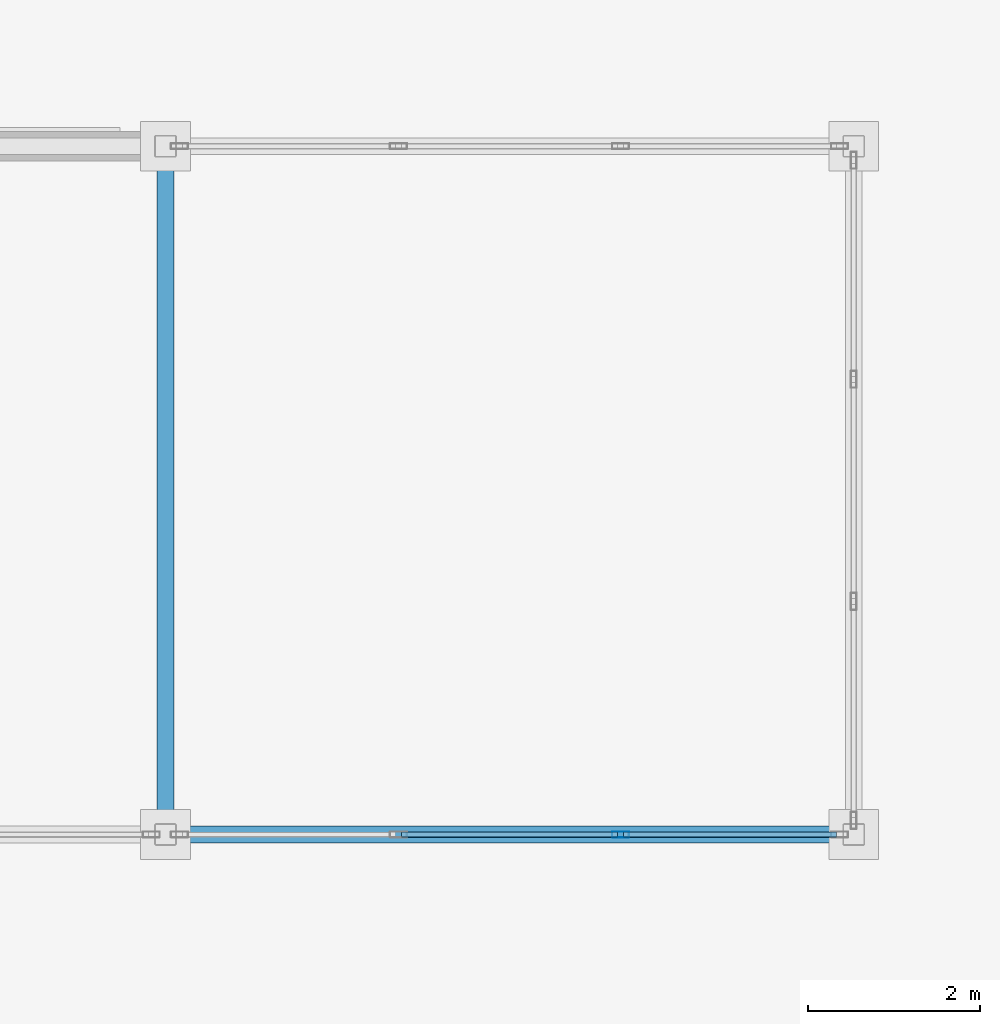
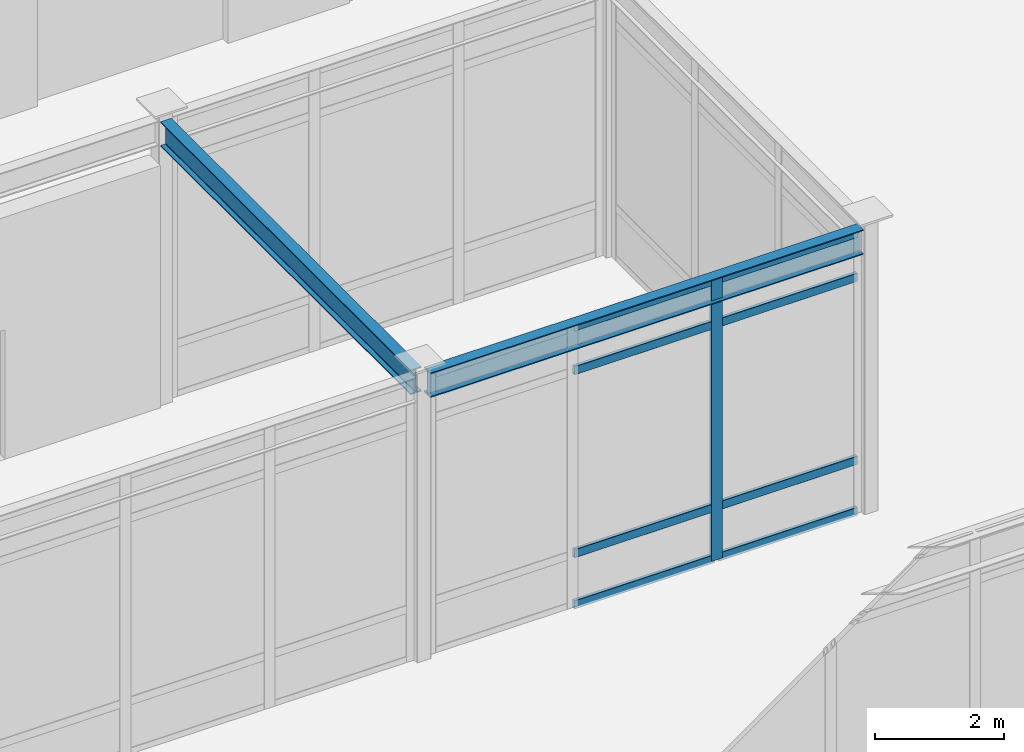
# One storey, part 57 of 128: 9 members, 2 beams, 1 element without a shape of its own.
"""IFC4 building model written with IfcOpenShell, lengths in metres."""

import ifcopenshell
import ifcopenshell.guid

model = None  # the IFC model being written
_history = None  # IfcOwnerHistory: only IFC2X3 demands one
_inside = {}  # id of a spatial element -> (the spatial element, [elements in it])
_under = {}  # id of a project, library or spatial element -> (it, [spatial elements below it])
_declared = {}  # id of a project -> (the project, [libraries it declares])
_typed = {}  # id of a type object -> (the type object, [elements of that type])
_made_of = {}  # id of a material, layer set ... -> (it, [elements and type objects made of it])


def new_model(schema):
    """Start an empty IFC model of exactly this schema.

    Asked for "IFC4X3", IfcOpenShell would pick the latest addendum, in which some entities
    have other attributes; the version numbers below select the first issue.
    IFC2X3 requires an IfcOwnerHistory on every rooted entity: one is made here for all.
    """
    global model, _history
    if schema == "IFC4X3":
        model = ifcopenshell.file(schema_version=(4, 3, 0, 0))
    else:
        model = ifcopenshell.file(schema=schema)
    _inside.clear()
    _under.clear()
    _declared.clear()
    _typed.clear()
    _made_of.clear()
    _history = None
    if model.schema == "IFC2X3":
        org = make("IfcOrganization", Name="unknown")
        user = make(
            "IfcPersonAndOrganization",
            ThePerson=make("IfcPerson", FamilyName="unknown"),
            TheOrganization=org,
        )
        app = make(
            "IfcApplication",
            ApplicationDeveloper=org,
            Version="unknown",
            ApplicationFullName="unknown",
            ApplicationIdentifier="unknown",
        )
        _history = make(
            "IfcOwnerHistory",
            OwningUser=user,
            OwningApplication=app,
            ChangeAction="ADDED",
            CreationDate=0,
        )
    return model


def make(cls, **values):
    """One entity of the class cls with the attributes given. An attribute that is None is left unset."""
    return model.create_entity(
        cls, **{name: value for name, value in values.items() if value is not None}
    )


def rooted(cls, **values):
    """An entity with a GlobalId (a new one), such as an element, a storey or a relation."""
    return make(cls, GlobalId=ifcopenshell.guid.new(), OwnerHistory=_history, **values)


def si_unit(unit_type, name, prefix=None):
    """IfcSIUnit, for example si_unit("LENGTHUNIT", "METRE", prefix="MILLI")."""
    return make("IfcSIUnit", UnitType=unit_type, Prefix=prefix, Name=name)


def assignment(units):
    """IfcUnitAssignment: the units of a project."""
    return None if units is None else make("IfcUnitAssignment", Units=units)


def point(xyz):
    """IfcCartesianPoint."""
    return None if xyz is None else make("IfcCartesianPoint", Coordinates=xyz)


def direction(xyz):
    """IfcDirection."""
    return None if xyz is None else make("IfcDirection", DirectionRatios=xyz)


def frame(location, z_axis=None, x_axis=None):
    """IfcAxis2Placement3D, a coordinate frame: its origin and axes. An axis left out is left unset."""
    return make(
        "IfcAxis2Placement3D",
        Location=point(location),
        Axis=direction(z_axis),
        RefDirection=direction(x_axis),
    )


def frame_2d(location, x_axis=None):
    """IfcAxis2Placement2D, a coordinate frame in the plane: its origin and x axis."""
    return make(
        "IfcAxis2Placement2D", Location=point(location), RefDirection=direction(x_axis)
    )


def origin():
    """The frame at (0, 0, 0) with its axes left unset."""
    return frame((0.0, 0.0, 0.0))


def origin_2d():
    """The frame at (0, 0) in the plane with its x axis left unset."""
    return frame_2d((0.0, 0.0))


def place(relative_to, where):
    """IfcLocalPlacement: puts the frame where relative to a parent placement (None: the world)."""
    return make(
        "IfcLocalPlacement", PlacementRelTo=relative_to, RelativePlacement=where
    )


def context(
    kind, dimensions, precision=None, world=None, true_north=None, identifier=None
):
    """IfcGeometricRepresentationContext, for example the 3D "Model" context."""
    return make(
        "IfcGeometricRepresentationContext",
        ContextIdentifier=identifier,
        ContextType=kind,
        CoordinateSpaceDimension=dimensions,
        Precision=precision,
        WorldCoordinateSystem=world,
        TrueNorth=true_north,
    )


def subcontext(parent, identifier, kind, view, scale=None):
    """IfcGeometricRepresentationSubContext, for example "Body" below "Model"."""
    return make(
        "IfcGeometricRepresentationSubContext",
        ContextIdentifier=identifier,
        ContextType=kind,
        ParentContext=parent,
        TargetScale=scale,
        TargetView=view,
    )


def project(units=None, contexts=None):
    """IfcProject with its units and contexts."""
    return rooted(
        "IfcProject",
        Name="project",
        RepresentationContexts=contexts,
        UnitsInContext=assignment(units),
    )


def spatial(cls, under=None, at=None, **own):
    """A site, building, storey or space (cls), placed at a placement, below another one or the project."""
    s = rooted(cls, ObjectPlacement=at, **own)
    if under is not None:
        _under.setdefault(under.id(), (under, []))[1].append(s)
    return s


def profile(cls, at=None, kind="AREA", **sizes):
    """A parametric profile (cls). Its sizes go by their IFC names, for example OverallWidth=200.0."""
    return make(cls, ProfileType=kind, Position=at, **sizes)


def hollow_rectangle(**sizes):
    """IfcRectangleHollowProfileDef."""
    return profile("IfcRectangleHollowProfileDef", **sizes)


def i_section(**sizes):
    """IfcIShapeProfileDef."""
    return profile("IfcIShapeProfileDef", **sizes)


def extrude(swept, where, along, depth):
    """IfcExtrudedAreaSolid: the profile swept, set in the frame where, extruded along a direction by depth."""
    return make(
        "IfcExtrudedAreaSolid",
        SweptArea=swept,
        Position=where,
        ExtrudedDirection=direction(along),
        Depth=depth,
    )


def shape(context_of_items, identifier, shape_type, items):
    """IfcShapeRepresentation: the items that make up one representation, for example the "Body"."""
    return make(
        "IfcShapeRepresentation",
        ContextOfItems=context_of_items,
        RepresentationIdentifier=identifier,
        RepresentationType=shape_type,
        Items=items,
    )


def material(Name=None, Category=None):
    """IfcMaterial."""
    return make("IfcMaterial", Name=Name, Category=Category)


def material_profile(
    of_material, cross_section, Name=None, Category=None, Priority=None
):
    """IfcMaterialProfile: a cross section and its material."""
    return make(
        "IfcMaterialProfile",
        Name=Name,
        Material=of_material,
        Profile=cross_section,
        Priority=Priority,
        Category=Category,
    )


def profile_set(profiles, Name=None, composite=None):
    """IfcMaterialProfileSet."""
    return make(
        "IfcMaterialProfileSet",
        Name=Name,
        MaterialProfiles=profiles,
        CompositeProfile=composite,
    )


def made_of(thing, what):
    """Note that an element or type object is made of a material, layer set ...; save() writes the relation."""
    if what is not None:
        _made_of.setdefault(what.id(), (what, []))[1].append(thing)
    return thing


def type_object(cls, material=None, **own):
    """A type object (cls), such as IfcWallType, which elements share."""
    return made_of(rooted(cls, **own), material)


def element(
    cls,
    number,
    at=None,
    inside=None,
    cuts=None,
    type_object=None,
    material=None,
    context=None,
    identifier="Body",
    shape_type=None,
    held_by="IfcProductDefinitionShape",
    body=None,
    shapes=None,
    **own,
):
    """One element of the class cls, such as IfcWall. Its Tag is "e" and its number.

    at: its placement. inside: the storey or other place that contains it. cuts: it is an
    opening in that element (IfcRelVoidsElement). A single representation is given by context,
    identifier, shape_type and body (its items); several are given by shapes. held_by: the class
    of the entity that holds the representations. save() writes the other relations.
    """
    e = rooted(cls, Tag="e%d" % number, ObjectPlacement=at, **own)
    if body is not None:
        shapes = [shape(context, identifier, shape_type, body)]
    if shapes is not None:
        e.Representation = make(held_by, Representations=shapes)
    if inside is not None:
        _inside.setdefault(inside.id(), (inside, []))[1].append(e)
    if cuts is not None:
        rooted(
            "IfcRelVoidsElement", RelatingBuildingElement=cuts, RelatedOpeningElement=e
        )
    if type_object is not None:
        _typed.setdefault(type_object.id(), (type_object, []))[1].append(e)
    return made_of(e, material)


def aggregate(whole, parts):
    """IfcRelAggregates: a whole, such as a stair, and the parts it consists of."""
    return rooted("IfcRelAggregates", RelatingObject=whole, RelatedObjects=parts)


def save(model, path):
    """Write the relations noted so far, then the file.

    IfcRelAggregates (storeys below a building ...), IfcRelContainedInSpatialStructure (elements
    in a storey), IfcRelDefinesByType, IfcRelAssociatesMaterial and IfcRelDeclares: one each for
    every whole, place, type object, material and project.
    """
    for whole, parts in _under.values():
        aggregate(whole, parts)
    for where, things in _inside.values():
        rooted(
            "IfcRelContainedInSpatialStructure",
            RelatedElements=things,
            RelatingStructure=where,
        )
    for kind, things in _typed.values():
        rooted("IfcRelDefinesByType", RelatedObjects=things, RelatingType=kind)
    for what, things in _made_of.values():
        rooted("IfcRelAssociatesMaterial", RelatedObjects=things, RelatingMaterial=what)
    for by, libraries in _declared.values():
        rooted("IfcRelDeclares", RelatingContext=by, RelatedDefinitions=libraries)
    model.write(path)


model = new_model("IFC4")

# Units and contexts
model_context = context("Model", 3, precision=1e-05, world=origin(), true_north=direction((0.0, 1.0)))
body_context = subcontext(model_context, "Body", "Model", "MODEL_VIEW")
ifc_project = project(units=[si_unit("LENGTHUNIT", "METRE"), si_unit("AREAUNIT", "SQUARE_METRE"), si_unit("VOLUMEUNIT", "CUBIC_METRE"), si_unit("PLANEANGLEUNIT", "RADIAN"), si_unit("MASSUNIT", "GRAM", prefix="KILO")], contexts=[model_context])

# Site, building, storey
site_placement = place(None, origin())
site = spatial("IfcSite", under=ifc_project, at=site_placement, CompositionType="ELEMENT")
building_placement = place(site_placement, origin())
building = spatial("IfcBuilding", under=site, at=building_placement, Name="Solmirada Galleria", CompositionType="ELEMENT")
storey_placement = place(building_placement, origin())
storey = spatial("IfcBuildingStorey", under=building, at=storey_placement, Name="L00", CompositionType="ELEMENT", Elevation=0.0)

# Beams
ifc_material_1 = material(Name="Steel S355 / ASTM A992 Grade 50", Category="steel")
ifc_material_profile_1 = material_profile(ifc_material_1, i_section(OverallWidth=0.193115234375, OverallDepth=0.466064453125, WebThickness=0.011474609375, FlangeThickness=0.01904296875, FilletRadius=0.013916015625, at=origin_2d()), Name="W18X65")
ifc_profile_set_1 = profile_set([ifc_material_profile_1], Name="Steel S355 / ASTM A992 Grade 50")
beam_type = type_object("IfcBeamType", Name="BM-GIRD-W18C", PredefinedType="BEAM", material=ifc_profile_set_1)
for number, where, z_axis, x_axis, name in (
    (1, (128.126953125, 56.0, 5.139892578125), (1.0, 0.0, 0.0), (0.0, 1.0, 0.0), "Arcade boutique roof girder BE"),
    (2, (128.0, 56.126953125, 5.139892578125), (0.0, 1.0, 0.0), (-1.0, 0.0, 0.0), "Arcade boutique transverse girder BE"),
):
    element("IfcBeam", number, at=place(storey_placement, frame(where, z_axis=z_axis, x_axis=x_axis)), inside=storey, type_object=beam_type, Name=name, PredefinedType="BEAM", context=body_context, shape_type="SweptSolid", body=[
        extrude(i_section(OverallWidth=0.193115234375, OverallDepth=0.466064453125, WebThickness=0.011474609375, FlangeThickness=0.01904296875, FilletRadius=0.013916015625, at=origin_2d()), origin(), (0.0, 0.0, 1.0), 7.74609375),
    ])

# Curtain wall, members
ifc_material_2 = material(Name="Impact-resistant low-E double glazing", Category="glass")
curtain_wall_type = type_object("IfcCurtainWallType", Name="CW-FZ5-L00-B3-L077", PredefinedType="NOTDEFINED", material=ifc_material_2)
curtain_wall_placement = place(storey_placement, origin())
curtain_wall = element("IfcCurtainWall", 3, at=curtain_wall_placement, inside=storey, type_object=curtain_wall_type, Name="Terrace and arcade storefront CW-L00-038", PredefinedType="NOTDEFINED")
ifc_material_3 = material(Name="Anodised aluminium framing", Category="aluminium")
ifc_material_profile_2 = material_profile(ifc_material_3, hollow_rectangle(XDim=0.070068359375, YDim=0.199951171875, WallThickness=0.004150390625, InnerFilletRadius=0.004150390625, OuterFilletRadius=0.00830078125, at=origin_2d()), Name="ALU-MULL-200X70")
ifc_profile_set_2 = profile_set([ifc_material_profile_2], Name="Anodised aluminium framing")
member_type_1 = type_object("IfcMemberType", Name="CW-MULL-200", PredefinedType="MULLION", material=ifc_profile_set_2)
member_1_placement = place(storey_placement, frame((133.290283203125, 56.0, 0.0), z_axis=(0.0, 0.0, 1.0), x_axis=(0.0, -1.0, 0.0)))
member_1 = element("IfcMember", 4, at=member_1_placement, type_object=member_type_1, Name="CW08 mullion 2", PredefinedType="MULLION", context=body_context, shape_type="SweptSolid", body=[
    extrude(hollow_rectangle(XDim=0.070068359375, YDim=0.199951171875, WallThickness=0.004150390625, InnerFilletRadius=0.004150390625, OuterFilletRadius=0.00830078125, at=origin_2d()), origin(), (0.0, 0.0, 1.0), 5.320068359375),
])
ifc_material_profile_3 = material_profile(ifc_material_3, hollow_rectangle(XDim=0.06494140625, YDim=0.159912109375, WallThickness=0.00390625, InnerFilletRadius=0.00390625, OuterFilletRadius=0.007568359375, at=origin_2d()), Name="ALU-TRAN-160X65")
ifc_profile_set_3 = profile_set([ifc_material_profile_3], Name="Anodised aluminium framing")
member_type_2 = type_object("IfcMemberType", Name="CW-TRAN-160", PredefinedType="USERDEFINED", material=ifc_profile_set_3)
member_2_placement = place(storey_placement, frame((135.801025390625, 56.0, 0.032470703125), z_axis=(-1.0, 0.0, 0.0), x_axis=(0.0, -1.0, 0.0)))
member_2 = element("IfcMember", 5, at=member_2_placement, type_object=member_type_2, Name="CW08 transom 1.1", ObjectType="TRANSOM", PredefinedType="USERDEFINED", context=body_context, shape_type="SweptSolid", body=[
    extrude(hollow_rectangle(XDim=0.06494140625, YDim=0.159912109375, WallThickness=0.00390625, InnerFilletRadius=0.00390625, OuterFilletRadius=0.007568359375, at=origin_2d()), origin(), (0.0, 0.0, 1.0), 2.4755859375),
])
member_3_placement = place(storey_placement, frame((135.801025390625, 56.0, 1.0), z_axis=(-1.0, 0.0, 0.0), x_axis=(0.0, -1.0, 0.0)))
member_3 = element("IfcMember", 6, at=member_3_placement, type_object=member_type_2, Name="CW08 transom 1.2", ObjectType="TRANSOM", PredefinedType="USERDEFINED", context=body_context, shape_type="SweptSolid", body=[
    extrude(hollow_rectangle(XDim=0.06494140625, YDim=0.159912109375, WallThickness=0.00390625, InnerFilletRadius=0.00390625, OuterFilletRadius=0.007568359375, at=origin_2d()), origin(), (0.0, 0.0, 1.0), 2.4755859375),
])
member_4_placement = place(storey_placement, frame((135.801025390625, 56.0, 4.4599609375), z_axis=(-1.0, 0.0, 0.0), x_axis=(0.0, -1.0, 0.0)))
member_4 = element("IfcMember", 7, at=member_4_placement, type_object=member_type_2, Name="CW08 transom 1.3", ObjectType="TRANSOM", PredefinedType="USERDEFINED", context=body_context, shape_type="SweptSolid", body=[
    extrude(hollow_rectangle(XDim=0.06494140625, YDim=0.159912109375, WallThickness=0.00390625, InnerFilletRadius=0.00390625, OuterFilletRadius=0.007568359375, at=origin_2d()), origin(), (0.0, 0.0, 1.0), 2.4755859375),
])
member_5_placement = place(storey_placement, frame((135.801025390625, 56.0, 5.28759765625), z_axis=(-1.0, 0.0, 0.0), x_axis=(0.0, -1.0, 0.0)))
member_5 = element("IfcMember", 8, at=member_5_placement, type_object=member_type_2, Name="CW08 transom 1.4", ObjectType="TRANSOM", PredefinedType="USERDEFINED", context=body_context, shape_type="SweptSolid", body=[
    extrude(hollow_rectangle(XDim=0.06494140625, YDim=0.159912109375, WallThickness=0.00390625, InnerFilletRadius=0.00390625, OuterFilletRadius=0.007568359375, at=origin_2d()), origin(), (0.0, 0.0, 1.0), 2.4755859375),
])
member_6_placement = place(storey_placement, frame((133.25537109375, 56.0, 0.032470703125), z_axis=(-1.0, 0.0, 0.0), x_axis=(0.0, -1.0, 0.0)))
member_6 = element("IfcMember", 9, at=member_6_placement, type_object=member_type_2, Name="CW08 transom 2.1", ObjectType="TRANSOM", PredefinedType="USERDEFINED", context=body_context, shape_type="SweptSolid", body=[
    extrude(hollow_rectangle(XDim=0.06494140625, YDim=0.159912109375, WallThickness=0.00390625, InnerFilletRadius=0.00390625, OuterFilletRadius=0.007568359375, at=origin_2d()), origin(), (0.0, 0.0, 1.0), 2.5107421875),
])
member_7_placement = place(storey_placement, frame((133.25537109375, 56.0, 1.0), z_axis=(-1.0, 0.0, 0.0), x_axis=(0.0, -1.0, 0.0)))
member_7 = element("IfcMember", 10, at=member_7_placement, type_object=member_type_2, Name="CW08 transom 2.2", ObjectType="TRANSOM", PredefinedType="USERDEFINED", context=body_context, shape_type="SweptSolid", body=[
    extrude(hollow_rectangle(XDim=0.06494140625, YDim=0.159912109375, WallThickness=0.00390625, InnerFilletRadius=0.00390625, OuterFilletRadius=0.007568359375, at=origin_2d()), origin(), (0.0, 0.0, 1.0), 2.5107421875),
])
member_8_placement = place(storey_placement, frame((133.25537109375, 56.0, 4.4599609375), z_axis=(-1.0, 0.0, 0.0), x_axis=(0.0, -1.0, 0.0)))
member_8 = element("IfcMember", 11, at=member_8_placement, type_object=member_type_2, Name="CW08 transom 2.3", ObjectType="TRANSOM", PredefinedType="USERDEFINED", context=body_context, shape_type="SweptSolid", body=[
    extrude(hollow_rectangle(XDim=0.06494140625, YDim=0.159912109375, WallThickness=0.00390625, InnerFilletRadius=0.00390625, OuterFilletRadius=0.007568359375, at=origin_2d()), origin(), (0.0, 0.0, 1.0), 2.5107421875),
])
member_9_placement = place(storey_placement, frame((133.25537109375, 56.0, 5.28759765625), z_axis=(-1.0, 0.0, 0.0), x_axis=(0.0, -1.0, 0.0)))
member_9 = element("IfcMember", 12, at=member_9_placement, type_object=member_type_2, Name="CW08 transom 2.4", ObjectType="TRANSOM", PredefinedType="USERDEFINED", context=body_context, shape_type="SweptSolid", body=[
    extrude(hollow_rectangle(XDim=0.06494140625, YDim=0.159912109375, WallThickness=0.00390625, InnerFilletRadius=0.00390625, OuterFilletRadius=0.007568359375, at=origin_2d()), origin(), (0.0, 0.0, 1.0), 2.5107421875),
])
aggregate(curtain_wall, [member_1, member_2, member_3, member_4, member_5, member_6, member_7, member_8, member_9])

save(model, "model.ifc")
